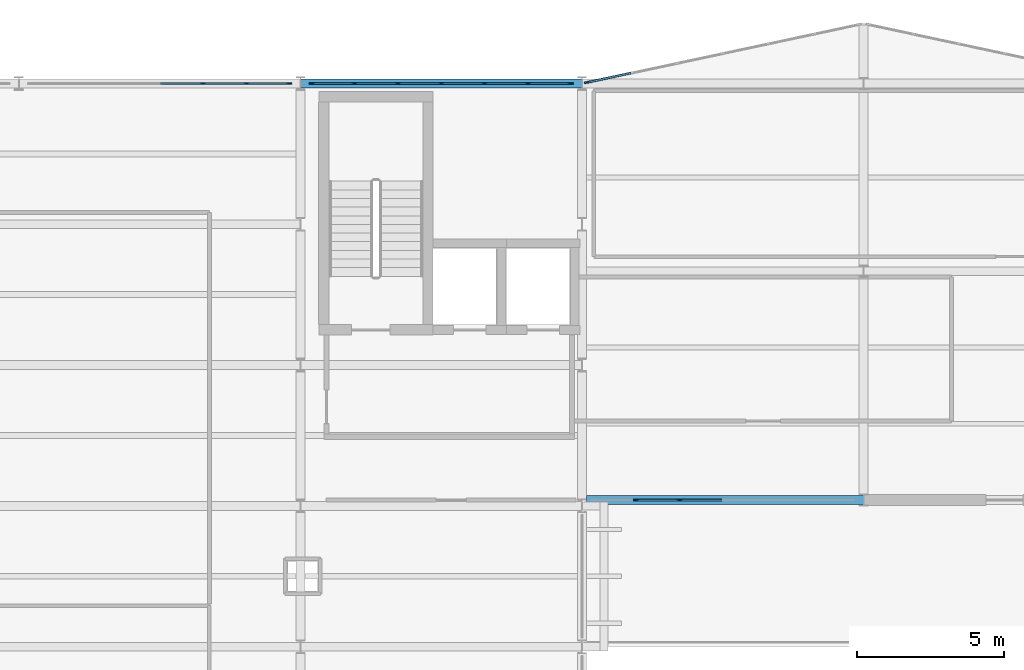
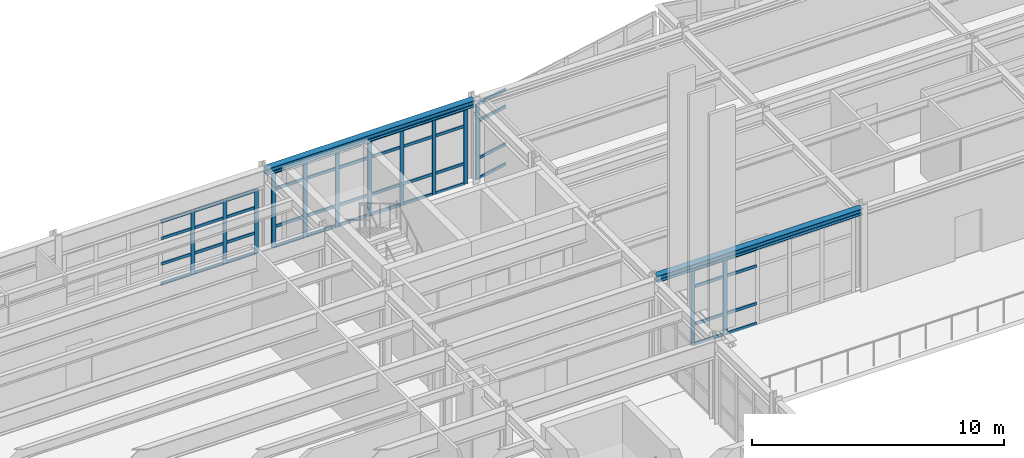
# One storey, part 21 of 47: 61 members, 2 beams, 4 elements without a shape of their own.
"""IFC4 building model written with IfcOpenShell, lengths in metres."""

from ifc_helpers import new_model, si_unit, direction, frame, origin, origin_2d, place, context, subcontext, project, spatial, rectangle, i_section, extrude, material, layer, layer_set, material_profile, profile_set, type_object, element, aggregate, save


model = new_model("IFC4")

# Units and contexts
model_context = context("Model", 3, precision=1e-05, world=origin(), true_north=direction((0.0, 1.0)))
body_context = subcontext(model_context, "Body", "Model", "MODEL_VIEW")
ifc_project = project(units=[si_unit("LENGTHUNIT", "METRE"), si_unit("AREAUNIT", "SQUARE_METRE"), si_unit("VOLUMEUNIT", "CUBIC_METRE"), si_unit("PLANEANGLEUNIT", "RADIAN"), si_unit("MASSUNIT", "GRAM", prefix="KILO")], contexts=[model_context])

# Site, building, storey
site_placement = place(None, origin())
site = spatial("IfcSite", under=ifc_project, at=site_placement, CompositionType="ELEMENT")
building_placement = place(site_placement, origin())
building = spatial("IfcBuilding", under=site, at=building_placement, Name="Nordkorset Police Headquarters", CompositionType="ELEMENT")
storey_placement = place(building_placement, frame((0.0, 0.0, 22.050048828125)))
storey = spatial("IfcBuildingStorey", under=building, at=storey_placement, Name="L05", CompositionType="ELEMENT", Elevation=22.050048828125)

# Curtain wall, members
ifc_material_1 = material(Name="Aluminium alloy AW-6060", Category="aluminium")
ifc_layer_1 = layer(ifc_material_1, 0.179931640625, Name="Aluminium alloy AW-6060")
ifc_layer_set_1 = layer_set([ifc_layer_1], Name="Aluminium alloy AW-6060")
curtain_wall_type_1 = type_object("IfcCurtainWallType", Name="CW_Unit_888x308", PredefinedType="USERDEFINED", material=ifc_layer_set_1)
curtain_wall_1_placement = place(storey_placement, origin())
curtain_wall_1 = element("IfcCurtainWall", 1, at=curtain_wall_1_placement, inside=storey, type_object=curtain_wall_type_1, Name="Unitised Curtain Wall L05 V1N-1", ObjectType="UNITISED CURTAIN WALL", PredefinedType="USERDEFINED")
ifc_material_2 = material(Name="Aluminium alloy AW-6060", Category="aluminium")
ifc_material_profile_1 = material_profile(ifc_material_2, rectangle(XDim=0.06494140625, YDim=0.179931640625, at=origin_2d()), Name="ALU MULL 65x180")
ifc_profile_set_1 = profile_set([ifc_material_profile_1], Name="Aluminium alloy AW-6060")
member_type_1 = type_object("IfcMemberType", Name="CW_Mullion_65x180", PredefinedType="MULLION", material=ifc_profile_set_1)
member_1_placement = place(storey_placement, frame((15.8798828125, 116.800048828125, 0.0), z_axis=(0.0, 0.0, 1.0), x_axis=(0.0, 1.0, 0.0)))
member_1 = element("IfcMember", 2, at=member_1_placement, type_object=member_type_1, Name="CW-81 mullion 5", PredefinedType="MULLION", context=body_context, shape_type="SweptSolid", body=[
    extrude(rectangle(XDim=0.06494140625, YDim=0.179931640625, at=origin_2d()), origin(), (0.0, 0.0, 1.0), 3.079833984375),
])
member_2_placement = place(storey_placement, frame((17.360107421875, 116.800048828125, 0.0), z_axis=(0.0, 0.0, 1.0), x_axis=(0.0, 1.0, 0.0)))
member_2 = element("IfcMember", 3, at=member_2_placement, type_object=member_type_1, Name="CW-81 mullion 6", PredefinedType="MULLION", context=body_context, shape_type="SweptSolid", body=[
    extrude(rectangle(XDim=0.06494140625, YDim=0.179931640625, at=origin_2d()), origin(), (0.0, 0.0, 1.0), 3.079833984375),
])
member_3_placement = place(storey_placement, frame((18.8076171875, 116.800048828125, 0.0), z_axis=(0.0, 0.0, 1.0), x_axis=(0.0, 1.0, 0.0)))
member_3 = element("IfcMember", 4, at=member_3_placement, type_object=member_type_1, Name="CW-81 mullion 7", PredefinedType="MULLION", context=body_context, shape_type="SweptSolid", body=[
    extrude(rectangle(XDim=0.06494140625, YDim=0.179931640625, at=origin_2d()), origin(), (0.0, 0.0, 1.0), 3.079833984375),
])

ifc_material_3 = material(Name="Aluminium alloy AW-6060", Category="aluminium")
ifc_layer_2 = layer(ifc_material_3, 0.179931640625, Name="Aluminium alloy AW-6060")
ifc_layer_set_2 = layer_set([ifc_layer_2], Name="Aluminium alloy AW-6060")
curtain_wall_type_2 = type_object("IfcCurtainWallType", Name="CW_Unit_888x367", PredefinedType="USERDEFINED", material=ifc_layer_set_2)
curtain_wall_2_placement = place(storey_placement, origin())
curtain_wall_2 = element("IfcCurtainWall", 5, at=curtain_wall_2_placement, inside=storey, type_object=curtain_wall_type_2, Name="Unitised Curtain Wall L05 V1N-2", ObjectType="UNITISED CURTAIN WALL", PredefinedType="USERDEFINED")
member_4_placement = place(storey_placement, frame((19.592529296875, 116.800048828125, 0.0), z_axis=(0.0, 0.0, 1.0), x_axis=(0.0, 1.0, 0.0)))
member_4 = element("IfcMember", 6, at=member_4_placement, type_object=member_type_1, Name="CW-91 mullion 1", PredefinedType="MULLION", context=body_context, shape_type="SweptSolid", body=[
    extrude(rectangle(XDim=0.06494140625, YDim=0.179931640625, at=origin_2d()), origin(), (0.0, 0.0, 1.0), 3.669921875),
])
member_5_placement = place(storey_placement, frame((21.0400390625, 116.800048828125, 0.0), z_axis=(0.0, 0.0, 1.0), x_axis=(0.0, 1.0, 0.0)))
member_5 = element("IfcMember", 7, at=member_5_placement, type_object=member_type_1, Name="CW-91 mullion 2", PredefinedType="MULLION", context=body_context, shape_type="SweptSolid", body=[
    extrude(rectangle(XDim=0.06494140625, YDim=0.179931640625, at=origin_2d()), origin(), (0.0, 0.0, 1.0), 3.669921875),
])
member_6_placement = place(storey_placement, frame((22.52001953125, 116.800048828125, 0.0), z_axis=(0.0, 0.0, 1.0), x_axis=(0.0, 1.0, 0.0)))
member_6 = element("IfcMember", 8, at=member_6_placement, type_object=member_type_1, Name="CW-91 mullion 3", PredefinedType="MULLION", context=body_context, shape_type="SweptSolid", body=[
    extrude(rectangle(XDim=0.06494140625, YDim=0.179931640625, at=origin_2d()), origin(), (0.0, 0.0, 1.0), 3.669921875),
])
member_7_placement = place(storey_placement, frame((24.0, 116.800048828125, 0.0), z_axis=(0.0, 0.0, 1.0), x_axis=(0.0, 1.0, 0.0)))
member_7 = element("IfcMember", 9, at=member_7_placement, type_object=member_type_1, Name="CW-91 mullion 4", PredefinedType="MULLION", context=body_context, shape_type="SweptSolid", body=[
    extrude(rectangle(XDim=0.06494140625, YDim=0.179931640625, at=origin_2d()), origin(), (0.0, 0.0, 1.0), 3.669921875),
])
member_8_placement = place(storey_placement, frame((25.47998046875, 116.800048828125, 0.0), z_axis=(0.0, 0.0, 1.0), x_axis=(0.0, 1.0, 0.0)))
member_8 = element("IfcMember", 10, at=member_8_placement, type_object=member_type_1, Name="CW-91 mullion 5", PredefinedType="MULLION", context=body_context, shape_type="SweptSolid", body=[
    extrude(rectangle(XDim=0.06494140625, YDim=0.179931640625, at=origin_2d()), origin(), (0.0, 0.0, 1.0), 3.669921875),
])
member_9_placement = place(storey_placement, frame((26.9599609375, 116.800048828125, 0.0), z_axis=(0.0, 0.0, 1.0), x_axis=(0.0, 1.0, 0.0)))
member_9 = element("IfcMember", 11, at=member_9_placement, type_object=member_type_1, Name="CW-91 mullion 6", PredefinedType="MULLION", context=body_context, shape_type="SweptSolid", body=[
    extrude(rectangle(XDim=0.06494140625, YDim=0.179931640625, at=origin_2d()), origin(), (0.0, 0.0, 1.0), 3.669921875),
])
member_10_placement = place(storey_placement, frame((28.407470703125, 116.800048828125, 0.0), z_axis=(0.0, 0.0, 1.0), x_axis=(0.0, 1.0, 0.0)))
member_10 = element("IfcMember", 12, at=member_10_placement, type_object=member_type_1, Name="CW-91 mullion 7", PredefinedType="MULLION", context=body_context, shape_type="SweptSolid", body=[
    extrude(rectangle(XDim=0.06494140625, YDim=0.179931640625, at=origin_2d()), origin(), (0.0, 0.0, 1.0), 3.669921875),
])

# Curtain wall, member
ifc_material_4 = material(Name="Aluminium alloy AW-6060", Category="aluminium")
ifc_layer_3 = layer(ifc_material_4, 0.179931640625, Name="Aluminium alloy AW-6060")
ifc_layer_set_3 = layer_set([ifc_layer_3], Name="Aluminium alloy AW-6060")
curtain_wall_type_3 = type_object("IfcCurtainWallType", Name="CW_Unit_954x367", PredefinedType="USERDEFINED", material=ifc_layer_set_3)
curtain_wall_3_placement = place(storey_placement, origin())
curtain_wall_3 = element("IfcCurtainWall", 13, at=curtain_wall_3_placement, inside=storey, type_object=curtain_wall_type_3, Name="Unitised Curtain Wall L05 V2N-0", ObjectType="UNITISED CURTAIN WALL", PredefinedType="USERDEFINED")
member_11_placement = place(storey_placement, frame((28.96875, 116.8359375, 0.0), z_axis=(0.0, 0.0, 1.0), x_axis=(-0.208832534289, 0.977951416289, 0.0)))
member_11 = element("IfcMember", 14, at=member_11_placement, type_object=member_type_1, Name="CW-71 mullion 1", PredefinedType="MULLION", context=body_context, shape_type="SweptSolid", body=[
    extrude(rectangle(XDim=0.06494140625, YDim=0.179931640625, at=origin_2d()), origin(), (0.0, 0.0, 1.0), 3.669921875),
])

# Curtain wall, members
curtain_wall_4_placement = place(storey_placement, origin())
curtain_wall_4 = element("IfcCurtainWall", 15, at=curtain_wall_4_placement, inside=storey, type_object=curtain_wall_type_2, Name="Unitised Curtain Wall L05 V2S-0", ObjectType="UNITISED CURTAIN WALL", PredefinedType="USERDEFINED")
member_12_placement = place(storey_placement, frame((30.639892578125, 102.60009765625, 0.0), z_axis=(0.0, 0.0, 1.0), x_axis=(0.0, 1.0, 0.0)))
member_12 = element("IfcMember", 16, at=member_12_placement, type_object=member_type_1, Name="CW-91 mullion 2", PredefinedType="MULLION", context=body_context, shape_type="SweptSolid", body=[
    extrude(rectangle(XDim=0.06494140625, YDim=0.179931640625, at=origin_2d()), origin(), (0.0, 0.0, 1.0), 3.669921875),
])
member_13_placement = place(storey_placement, frame((32.1201171875, 102.60009765625, 0.0), z_axis=(0.0, 0.0, 1.0), x_axis=(0.0, 1.0, 0.0)))
member_13 = element("IfcMember", 17, at=member_13_placement, type_object=member_type_1, Name="CW-91 mullion 3", PredefinedType="MULLION", context=body_context, shape_type="SweptSolid", body=[
    extrude(rectangle(XDim=0.06494140625, YDim=0.179931640625, at=origin_2d()), origin(), (0.0, 0.0, 1.0), 3.669921875),
])

# Member
ifc_material_5 = material(Name="Aluminium alloy AW-6060", Category="aluminium")
ifc_material_profile_2 = material_profile(ifc_material_5, rectangle(XDim=0.06494140625, YDim=0.139892578125, at=origin_2d()), Name="ALU TRAN 65x140")
ifc_profile_set_2 = profile_set([ifc_material_profile_2], Name="Aluminium alloy AW-6060")
member_type_2 = type_object("IfcMemberType", Name="CW_Transom_65x140", PredefinedType="USERDEFINED", material=ifc_profile_set_2)
member_14_placement = place(storey_placement, frame((14.4326171875, 116.800048828125, 0.032470703125), z_axis=(1.0, 0.0, 0.0), x_axis=(0.0, 1.0, 0.0)))
member_14 = element("IfcMember", 18, at=member_14_placement, type_object=member_type_2, Name="CW-81 transom 4.1", ObjectType="TRANSOM", PredefinedType="USERDEFINED", context=body_context, shape_type="SweptSolid", body=[
    extrude(rectangle(XDim=0.06494140625, YDim=0.139892578125, at=origin_2d()), origin(), (0.0, 0.0, 1.0), 1.414794921875),
])

member_15_placement = place(storey_placement, frame((14.4326171875, 116.800048828125, 1.0), z_axis=(1.0, 0.0, 0.0), x_axis=(0.0, 1.0, 0.0)))
member_15 = element("IfcMember", 19, at=member_15_placement, type_object=member_type_2, Name="CW-81 transom 4.2", ObjectType="TRANSOM", PredefinedType="USERDEFINED", context=body_context, shape_type="SweptSolid", body=[
    extrude(rectangle(XDim=0.06494140625, YDim=0.139892578125, at=origin_2d()), origin(), (0.0, 0.0, 1.0), 1.414794921875),
])

member_16_placement = place(storey_placement, frame((14.4326171875, 116.800048828125, 2.22998046875), z_axis=(1.0, 0.0, 0.0), x_axis=(0.0, 1.0, 0.0)))
member_16 = element("IfcMember", 20, at=member_16_placement, type_object=member_type_2, Name="CW-81 transom 4.3", ObjectType="TRANSOM", PredefinedType="USERDEFINED", context=body_context, shape_type="SweptSolid", body=[
    extrude(rectangle(XDim=0.06494140625, YDim=0.139892578125, at=origin_2d()), origin(), (0.0, 0.0, 1.0), 1.414794921875),
])

member_17_placement = place(storey_placement, frame((14.4326171875, 116.800048828125, 3.04736328125), z_axis=(1.0, 0.0, 0.0), x_axis=(0.0, 1.0, 0.0)))
member_17 = element("IfcMember", 21, at=member_17_placement, type_object=member_type_2, Name="CW-81 transom 4.4", ObjectType="TRANSOM", PredefinedType="USERDEFINED", context=body_context, shape_type="SweptSolid", body=[
    extrude(rectangle(XDim=0.06494140625, YDim=0.139892578125, at=origin_2d()), origin(), (0.0, 0.0, 1.0), 1.414794921875),
])

member_18_placement = place(storey_placement, frame((15.91259765625, 116.800048828125, 0.032470703125), z_axis=(1.0, 0.0, 0.0), x_axis=(0.0, 1.0, 0.0)))
member_18 = element("IfcMember", 22, at=member_18_placement, type_object=member_type_2, Name="CW-81 transom 5.1", ObjectType="TRANSOM", PredefinedType="USERDEFINED", context=body_context, shape_type="SweptSolid", body=[
    extrude(rectangle(XDim=0.06494140625, YDim=0.139892578125, at=origin_2d()), origin(), (0.0, 0.0, 1.0), 1.414794921875),
])

member_19_placement = place(storey_placement, frame((15.91259765625, 116.800048828125, 1.0), z_axis=(1.0, 0.0, 0.0), x_axis=(0.0, 1.0, 0.0)))
member_19 = element("IfcMember", 23, at=member_19_placement, type_object=member_type_2, Name="CW-81 transom 5.2", ObjectType="TRANSOM", PredefinedType="USERDEFINED", context=body_context, shape_type="SweptSolid", body=[
    extrude(rectangle(XDim=0.06494140625, YDim=0.139892578125, at=origin_2d()), origin(), (0.0, 0.0, 1.0), 1.414794921875),
])

member_20_placement = place(storey_placement, frame((15.91259765625, 116.800048828125, 2.22998046875), z_axis=(1.0, 0.0, 0.0), x_axis=(0.0, 1.0, 0.0)))
member_20 = element("IfcMember", 24, at=member_20_placement, type_object=member_type_2, Name="CW-81 transom 5.3", ObjectType="TRANSOM", PredefinedType="USERDEFINED", context=body_context, shape_type="SweptSolid", body=[
    extrude(rectangle(XDim=0.06494140625, YDim=0.139892578125, at=origin_2d()), origin(), (0.0, 0.0, 1.0), 1.414794921875),
])

member_21_placement = place(storey_placement, frame((15.91259765625, 116.800048828125, 3.04736328125), z_axis=(1.0, 0.0, 0.0), x_axis=(0.0, 1.0, 0.0)))
member_21 = element("IfcMember", 25, at=member_21_placement, type_object=member_type_2, Name="CW-81 transom 5.4", ObjectType="TRANSOM", PredefinedType="USERDEFINED", context=body_context, shape_type="SweptSolid", body=[
    extrude(rectangle(XDim=0.06494140625, YDim=0.139892578125, at=origin_2d()), origin(), (0.0, 0.0, 1.0), 1.414794921875),
])

member_22_placement = place(storey_placement, frame((17.392578125, 116.800048828125, 0.032470703125), z_axis=(1.0, 0.0, 0.0), x_axis=(0.0, 1.0, 0.0)))
member_22 = element("IfcMember", 26, at=member_22_placement, type_object=member_type_2, Name="CW-81 transom 6.1", ObjectType="TRANSOM", PredefinedType="USERDEFINED", context=body_context, shape_type="SweptSolid", body=[
    extrude(rectangle(XDim=0.06494140625, YDim=0.139892578125, at=origin_2d()), origin(), (0.0, 0.0, 1.0), 1.38232421875),
])

member_23_placement = place(storey_placement, frame((17.392578125, 116.800048828125, 1.0), z_axis=(1.0, 0.0, 0.0), x_axis=(0.0, 1.0, 0.0)))
member_23 = element("IfcMember", 27, at=member_23_placement, type_object=member_type_2, Name="CW-81 transom 6.2", ObjectType="TRANSOM", PredefinedType="USERDEFINED", context=body_context, shape_type="SweptSolid", body=[
    extrude(rectangle(XDim=0.06494140625, YDim=0.139892578125, at=origin_2d()), origin(), (0.0, 0.0, 1.0), 1.38232421875),
])

member_24_placement = place(storey_placement, frame((17.392578125, 116.800048828125, 2.22998046875), z_axis=(1.0, 0.0, 0.0), x_axis=(0.0, 1.0, 0.0)))
member_24 = element("IfcMember", 28, at=member_24_placement, type_object=member_type_2, Name="CW-81 transom 6.3", ObjectType="TRANSOM", PredefinedType="USERDEFINED", context=body_context, shape_type="SweptSolid", body=[
    extrude(rectangle(XDim=0.06494140625, YDim=0.139892578125, at=origin_2d()), origin(), (0.0, 0.0, 1.0), 1.38232421875),
])

member_25_placement = place(storey_placement, frame((17.392578125, 116.800048828125, 3.04736328125), z_axis=(1.0, 0.0, 0.0), x_axis=(0.0, 1.0, 0.0)))
member_25 = element("IfcMember", 29, at=member_25_placement, type_object=member_type_2, Name="CW-81 transom 6.4", ObjectType="TRANSOM", PredefinedType="USERDEFINED", context=body_context, shape_type="SweptSolid", body=[
    extrude(rectangle(XDim=0.06494140625, YDim=0.139892578125, at=origin_2d()), origin(), (0.0, 0.0, 1.0), 1.38232421875),
])

aggregate(curtain_wall_1, [member_1, member_2, member_3, member_14, member_15, member_16, member_17, member_18, member_19, member_20, member_21, member_22, member_23, member_24, member_25])

member_26_placement = place(storey_placement, frame((19.625, 116.800048828125, 0.032470703125), z_axis=(1.0, 0.0, 0.0), x_axis=(0.0, 1.0, 0.0)))
member_26 = element("IfcMember", 30, at=member_26_placement, type_object=member_type_2, Name="CW-91 transom 1.1", ObjectType="TRANSOM", PredefinedType="USERDEFINED", context=body_context, shape_type="SweptSolid", body=[
    extrude(rectangle(XDim=0.06494140625, YDim=0.139892578125, at=origin_2d()), origin(), (0.0, 0.0, 1.0), 1.382568359375),
])

member_27_placement = place(storey_placement, frame((19.625, 116.800048828125, 1.0), z_axis=(1.0, 0.0, 0.0), x_axis=(0.0, 1.0, 0.0)))
member_27 = element("IfcMember", 31, at=member_27_placement, type_object=member_type_2, Name="CW-91 transom 1.2", ObjectType="TRANSOM", PredefinedType="USERDEFINED", context=body_context, shape_type="SweptSolid", body=[
    extrude(rectangle(XDim=0.06494140625, YDim=0.139892578125, at=origin_2d()), origin(), (0.0, 0.0, 1.0), 1.382568359375),
])

member_28_placement = place(storey_placement, frame((19.625, 116.800048828125, 2.820068359375), z_axis=(1.0, 0.0, 0.0), x_axis=(0.0, 1.0, 0.0)))
member_28 = element("IfcMember", 32, at=member_28_placement, type_object=member_type_2, Name="CW-91 transom 1.3", ObjectType="TRANSOM", PredefinedType="USERDEFINED", context=body_context, shape_type="SweptSolid", body=[
    extrude(rectangle(XDim=0.06494140625, YDim=0.139892578125, at=origin_2d()), origin(), (0.0, 0.0, 1.0), 1.382568359375),
])

member_29_placement = place(storey_placement, frame((19.625, 116.800048828125, 3.637451171875), z_axis=(1.0, 0.0, 0.0), x_axis=(0.0, 1.0, 0.0)))
member_29 = element("IfcMember", 33, at=member_29_placement, type_object=member_type_2, Name="CW-91 transom 1.4", ObjectType="TRANSOM", PredefinedType="USERDEFINED", context=body_context, shape_type="SweptSolid", body=[
    extrude(rectangle(XDim=0.06494140625, YDim=0.139892578125, at=origin_2d()), origin(), (0.0, 0.0, 1.0), 1.382568359375),
])

member_30_placement = place(storey_placement, frame((21.072509765625, 116.800048828125, 0.032470703125), z_axis=(1.0, 0.0, 0.0), x_axis=(0.0, 1.0, 0.0)))
member_30 = element("IfcMember", 34, at=member_30_placement, type_object=member_type_2, Name="CW-91 transom 2.1", ObjectType="TRANSOM", PredefinedType="USERDEFINED", context=body_context, shape_type="SweptSolid", body=[
    extrude(rectangle(XDim=0.06494140625, YDim=0.139892578125, at=origin_2d()), origin(), (0.0, 0.0, 1.0), 1.4150390625),
])

member_31_placement = place(storey_placement, frame((21.072509765625, 116.800048828125, 1.0), z_axis=(1.0, 0.0, 0.0), x_axis=(0.0, 1.0, 0.0)))
member_31 = element("IfcMember", 35, at=member_31_placement, type_object=member_type_2, Name="CW-91 transom 2.2", ObjectType="TRANSOM", PredefinedType="USERDEFINED", context=body_context, shape_type="SweptSolid", body=[
    extrude(rectangle(XDim=0.06494140625, YDim=0.139892578125, at=origin_2d()), origin(), (0.0, 0.0, 1.0), 1.4150390625),
])

member_32_placement = place(storey_placement, frame((21.072509765625, 116.800048828125, 2.820068359375), z_axis=(1.0, 0.0, 0.0), x_axis=(0.0, 1.0, 0.0)))
member_32 = element("IfcMember", 36, at=member_32_placement, type_object=member_type_2, Name="CW-91 transom 2.3", ObjectType="TRANSOM", PredefinedType="USERDEFINED", context=body_context, shape_type="SweptSolid", body=[
    extrude(rectangle(XDim=0.06494140625, YDim=0.139892578125, at=origin_2d()), origin(), (0.0, 0.0, 1.0), 1.4150390625),
])

member_33_placement = place(storey_placement, frame((21.072509765625, 116.800048828125, 3.637451171875), z_axis=(1.0, 0.0, 0.0), x_axis=(0.0, 1.0, 0.0)))
member_33 = element("IfcMember", 37, at=member_33_placement, type_object=member_type_2, Name="CW-91 transom 2.4", ObjectType="TRANSOM", PredefinedType="USERDEFINED", context=body_context, shape_type="SweptSolid", body=[
    extrude(rectangle(XDim=0.06494140625, YDim=0.139892578125, at=origin_2d()), origin(), (0.0, 0.0, 1.0), 1.4150390625),
])

member_34_placement = place(storey_placement, frame((22.552490234375, 116.800048828125, 0.032470703125), z_axis=(1.0, 0.0, 0.0), x_axis=(0.0, 1.0, 0.0)))
member_34 = element("IfcMember", 38, at=member_34_placement, type_object=member_type_2, Name="CW-91 transom 3.1", ObjectType="TRANSOM", PredefinedType="USERDEFINED", context=body_context, shape_type="SweptSolid", body=[
    extrude(rectangle(XDim=0.06494140625, YDim=0.139892578125, at=origin_2d()), origin(), (0.0, 0.0, 1.0), 1.4150390625),
])

member_35_placement = place(storey_placement, frame((22.552490234375, 116.800048828125, 1.0), z_axis=(1.0, 0.0, 0.0), x_axis=(0.0, 1.0, 0.0)))
member_35 = element("IfcMember", 39, at=member_35_placement, type_object=member_type_2, Name="CW-91 transom 3.2", ObjectType="TRANSOM", PredefinedType="USERDEFINED", context=body_context, shape_type="SweptSolid", body=[
    extrude(rectangle(XDim=0.06494140625, YDim=0.139892578125, at=origin_2d()), origin(), (0.0, 0.0, 1.0), 1.4150390625),
])

member_36_placement = place(storey_placement, frame((22.552490234375, 116.800048828125, 2.820068359375), z_axis=(1.0, 0.0, 0.0), x_axis=(0.0, 1.0, 0.0)))
member_36 = element("IfcMember", 40, at=member_36_placement, type_object=member_type_2, Name="CW-91 transom 3.3", ObjectType="TRANSOM", PredefinedType="USERDEFINED", context=body_context, shape_type="SweptSolid", body=[
    extrude(rectangle(XDim=0.06494140625, YDim=0.139892578125, at=origin_2d()), origin(), (0.0, 0.0, 1.0), 1.4150390625),
])

member_37_placement = place(storey_placement, frame((22.552490234375, 116.800048828125, 3.637451171875), z_axis=(1.0, 0.0, 0.0), x_axis=(0.0, 1.0, 0.0)))
member_37 = element("IfcMember", 41, at=member_37_placement, type_object=member_type_2, Name="CW-91 transom 3.4", ObjectType="TRANSOM", PredefinedType="USERDEFINED", context=body_context, shape_type="SweptSolid", body=[
    extrude(rectangle(XDim=0.06494140625, YDim=0.139892578125, at=origin_2d()), origin(), (0.0, 0.0, 1.0), 1.4150390625),
])

member_38_placement = place(storey_placement, frame((24.032470703125, 116.800048828125, 0.032470703125), z_axis=(1.0, 0.0, 0.0), x_axis=(0.0, 1.0, 0.0)))
member_38 = element("IfcMember", 42, at=member_38_placement, type_object=member_type_2, Name="CW-91 transom 4.1", ObjectType="TRANSOM", PredefinedType="USERDEFINED", context=body_context, shape_type="SweptSolid", body=[
    extrude(rectangle(XDim=0.06494140625, YDim=0.139892578125, at=origin_2d()), origin(), (0.0, 0.0, 1.0), 1.4150390625),
])

member_39_placement = place(storey_placement, frame((24.032470703125, 116.800048828125, 1.0), z_axis=(1.0, 0.0, 0.0), x_axis=(0.0, 1.0, 0.0)))
member_39 = element("IfcMember", 43, at=member_39_placement, type_object=member_type_2, Name="CW-91 transom 4.2", ObjectType="TRANSOM", PredefinedType="USERDEFINED", context=body_context, shape_type="SweptSolid", body=[
    extrude(rectangle(XDim=0.06494140625, YDim=0.139892578125, at=origin_2d()), origin(), (0.0, 0.0, 1.0), 1.4150390625),
])

member_40_placement = place(storey_placement, frame((24.032470703125, 116.800048828125, 2.820068359375), z_axis=(1.0, 0.0, 0.0), x_axis=(0.0, 1.0, 0.0)))
member_40 = element("IfcMember", 44, at=member_40_placement, type_object=member_type_2, Name="CW-91 transom 4.3", ObjectType="TRANSOM", PredefinedType="USERDEFINED", context=body_context, shape_type="SweptSolid", body=[
    extrude(rectangle(XDim=0.06494140625, YDim=0.139892578125, at=origin_2d()), origin(), (0.0, 0.0, 1.0), 1.4150390625),
])

member_41_placement = place(storey_placement, frame((24.032470703125, 116.800048828125, 3.637451171875), z_axis=(1.0, 0.0, 0.0), x_axis=(0.0, 1.0, 0.0)))
member_41 = element("IfcMember", 45, at=member_41_placement, type_object=member_type_2, Name="CW-91 transom 4.4", ObjectType="TRANSOM", PredefinedType="USERDEFINED", context=body_context, shape_type="SweptSolid", body=[
    extrude(rectangle(XDim=0.06494140625, YDim=0.139892578125, at=origin_2d()), origin(), (0.0, 0.0, 1.0), 1.4150390625),
])

member_42_placement = place(storey_placement, frame((25.512451171875, 116.800048828125, 0.032470703125), z_axis=(1.0, 0.0, 0.0), x_axis=(0.0, 1.0, 0.0)))
member_42 = element("IfcMember", 46, at=member_42_placement, type_object=member_type_2, Name="CW-91 transom 5.1", ObjectType="TRANSOM", PredefinedType="USERDEFINED", context=body_context, shape_type="SweptSolid", body=[
    extrude(rectangle(XDim=0.06494140625, YDim=0.139892578125, at=origin_2d()), origin(), (0.0, 0.0, 1.0), 1.4150390625),
])

member_43_placement = place(storey_placement, frame((25.512451171875, 116.800048828125, 1.0), z_axis=(1.0, 0.0, 0.0), x_axis=(0.0, 1.0, 0.0)))
member_43 = element("IfcMember", 47, at=member_43_placement, type_object=member_type_2, Name="CW-91 transom 5.2", ObjectType="TRANSOM", PredefinedType="USERDEFINED", context=body_context, shape_type="SweptSolid", body=[
    extrude(rectangle(XDim=0.06494140625, YDim=0.139892578125, at=origin_2d()), origin(), (0.0, 0.0, 1.0), 1.4150390625),
])

member_44_placement = place(storey_placement, frame((25.512451171875, 116.800048828125, 2.820068359375), z_axis=(1.0, 0.0, 0.0), x_axis=(0.0, 1.0, 0.0)))
member_44 = element("IfcMember", 48, at=member_44_placement, type_object=member_type_2, Name="CW-91 transom 5.3", ObjectType="TRANSOM", PredefinedType="USERDEFINED", context=body_context, shape_type="SweptSolid", body=[
    extrude(rectangle(XDim=0.06494140625, YDim=0.139892578125, at=origin_2d()), origin(), (0.0, 0.0, 1.0), 1.4150390625),
])

member_45_placement = place(storey_placement, frame((25.512451171875, 116.800048828125, 3.637451171875), z_axis=(1.0, 0.0, 0.0), x_axis=(0.0, 1.0, 0.0)))
member_45 = element("IfcMember", 49, at=member_45_placement, type_object=member_type_2, Name="CW-91 transom 5.4", ObjectType="TRANSOM", PredefinedType="USERDEFINED", context=body_context, shape_type="SweptSolid", body=[
    extrude(rectangle(XDim=0.06494140625, YDim=0.139892578125, at=origin_2d()), origin(), (0.0, 0.0, 1.0), 1.4150390625),
])

member_46_placement = place(storey_placement, frame((26.992431640625, 116.800048828125, 0.032470703125), z_axis=(1.0, 0.0, 0.0), x_axis=(0.0, 1.0, 0.0)))
member_46 = element("IfcMember", 50, at=member_46_placement, type_object=member_type_2, Name="CW-91 transom 6.1", ObjectType="TRANSOM", PredefinedType="USERDEFINED", context=body_context, shape_type="SweptSolid", body=[
    extrude(rectangle(XDim=0.06494140625, YDim=0.139892578125, at=origin_2d()), origin(), (0.0, 0.0, 1.0), 1.382568359375),
])

member_47_placement = place(storey_placement, frame((26.992431640625, 116.800048828125, 1.0), z_axis=(1.0, 0.0, 0.0), x_axis=(0.0, 1.0, 0.0)))
member_47 = element("IfcMember", 51, at=member_47_placement, type_object=member_type_2, Name="CW-91 transom 6.2", ObjectType="TRANSOM", PredefinedType="USERDEFINED", context=body_context, shape_type="SweptSolid", body=[
    extrude(rectangle(XDim=0.06494140625, YDim=0.139892578125, at=origin_2d()), origin(), (0.0, 0.0, 1.0), 1.382568359375),
])

member_48_placement = place(storey_placement, frame((26.992431640625, 116.800048828125, 2.820068359375), z_axis=(1.0, 0.0, 0.0), x_axis=(0.0, 1.0, 0.0)))
member_48 = element("IfcMember", 52, at=member_48_placement, type_object=member_type_2, Name="CW-91 transom 6.3", ObjectType="TRANSOM", PredefinedType="USERDEFINED", context=body_context, shape_type="SweptSolid", body=[
    extrude(rectangle(XDim=0.06494140625, YDim=0.139892578125, at=origin_2d()), origin(), (0.0, 0.0, 1.0), 1.382568359375),
])

member_49_placement = place(storey_placement, frame((26.992431640625, 116.800048828125, 3.637451171875), z_axis=(1.0, 0.0, 0.0), x_axis=(0.0, 1.0, 0.0)))
member_49 = element("IfcMember", 53, at=member_49_placement, type_object=member_type_2, Name="CW-91 transom 6.4", ObjectType="TRANSOM", PredefinedType="USERDEFINED", context=body_context, shape_type="SweptSolid", body=[
    extrude(rectangle(XDim=0.06494140625, YDim=0.139892578125, at=origin_2d()), origin(), (0.0, 0.0, 1.0), 1.382568359375),
])

aggregate(curtain_wall_2, [member_4, member_5, member_6, member_7, member_8, member_9, member_10, member_26, member_27, member_28, member_29, member_30, member_31, member_32, member_33, member_34, member_35, member_36, member_37, member_38, member_39, member_40, member_41, member_42, member_43, member_44, member_45, member_46, member_47, member_48, member_49])

member_50_placement = place(storey_placement, frame((29.00048828125, 116.8427734375, 0.032470703125), z_axis=(0.977955422008, 0.208813774846, 0.0), x_axis=(-0.208813774846, 0.977955422008, 0.0)))
member_50 = element("IfcMember", 54, at=member_50_placement, type_object=member_type_2, Name="CW-71 transom 1.1", ObjectType="TRANSOM", PredefinedType="USERDEFINED", context=body_context, shape_type="SweptSolid", body=[
    extrude(rectangle(XDim=0.06494140625, YDim=0.139892578125, at=origin_2d()), origin(), (0.0, 0.0, 1.0), 1.491943359375),
])

member_51_placement = place(storey_placement, frame((29.00048828125, 116.8427734375, 1.0), z_axis=(0.977955422008, 0.208813774846, 0.0), x_axis=(-0.208813774846, 0.977955422008, 0.0)))
member_51 = element("IfcMember", 55, at=member_51_placement, type_object=member_type_2, Name="CW-71 transom 1.2", ObjectType="TRANSOM", PredefinedType="USERDEFINED", context=body_context, shape_type="SweptSolid", body=[
    extrude(rectangle(XDim=0.06494140625, YDim=0.139892578125, at=origin_2d()), origin(), (0.0, 0.0, 1.0), 1.491943359375),
])

member_52_placement = place(storey_placement, frame((29.00048828125, 116.8427734375, 2.820068359375), z_axis=(0.977955422008, 0.208813774846, 0.0), x_axis=(-0.208813774846, 0.977955422008, 0.0)))
member_52 = element("IfcMember", 56, at=member_52_placement, type_object=member_type_2, Name="CW-71 transom 1.3", ObjectType="TRANSOM", PredefinedType="USERDEFINED", context=body_context, shape_type="SweptSolid", body=[
    extrude(rectangle(XDim=0.06494140625, YDim=0.139892578125, at=origin_2d()), origin(), (0.0, 0.0, 1.0), 1.491943359375),
])

member_53_placement = place(storey_placement, frame((29.00048828125, 116.8427734375, 3.637451171875), z_axis=(0.977955422008, 0.208813774846, 0.0), x_axis=(-0.208813774846, 0.977955422008, 0.0)))
member_53 = element("IfcMember", 57, at=member_53_placement, type_object=member_type_2, Name="CW-71 transom 1.4", ObjectType="TRANSOM", PredefinedType="USERDEFINED", context=body_context, shape_type="SweptSolid", body=[
    extrude(rectangle(XDim=0.06494140625, YDim=0.139892578125, at=origin_2d()), origin(), (0.0, 0.0, 1.0), 1.491943359375),
])

aggregate(curtain_wall_3, [member_11, member_50, member_51, member_52, member_53])

member_54_placement = place(storey_placement, frame((30.672607421875, 102.60009765625, 0.032470703125), z_axis=(1.0, 0.0, 0.0), x_axis=(0.0, 1.0, 0.0)))
member_54 = element("IfcMember", 58, at=member_54_placement, type_object=member_type_2, Name="CW-91 transom 2.1", ObjectType="TRANSOM", PredefinedType="USERDEFINED", context=body_context, shape_type="SweptSolid", body=[
    extrude(rectangle(XDim=0.06494140625, YDim=0.139892578125, at=origin_2d()), origin(), (0.0, 0.0, 1.0), 1.414794921875),
])

member_55_placement = place(storey_placement, frame((30.672607421875, 102.60009765625, 1.0), z_axis=(1.0, 0.0, 0.0), x_axis=(0.0, 1.0, 0.0)))
member_55 = element("IfcMember", 59, at=member_55_placement, type_object=member_type_2, Name="CW-91 transom 2.2", ObjectType="TRANSOM", PredefinedType="USERDEFINED", context=body_context, shape_type="SweptSolid", body=[
    extrude(rectangle(XDim=0.06494140625, YDim=0.139892578125, at=origin_2d()), origin(), (0.0, 0.0, 1.0), 1.414794921875),
])

member_56_placement = place(storey_placement, frame((30.672607421875, 102.60009765625, 2.820068359375), z_axis=(1.0, 0.0, 0.0), x_axis=(0.0, 1.0, 0.0)))
member_56 = element("IfcMember", 60, at=member_56_placement, type_object=member_type_2, Name="CW-91 transom 2.3", ObjectType="TRANSOM", PredefinedType="USERDEFINED", context=body_context, shape_type="SweptSolid", body=[
    extrude(rectangle(XDim=0.06494140625, YDim=0.139892578125, at=origin_2d()), origin(), (0.0, 0.0, 1.0), 1.414794921875),
])

member_57_placement = place(storey_placement, frame((30.672607421875, 102.60009765625, 3.637451171875), z_axis=(1.0, 0.0, 0.0), x_axis=(0.0, 1.0, 0.0)))
member_57 = element("IfcMember", 61, at=member_57_placement, type_object=member_type_2, Name="CW-91 transom 2.4", ObjectType="TRANSOM", PredefinedType="USERDEFINED", context=body_context, shape_type="SweptSolid", body=[
    extrude(rectangle(XDim=0.06494140625, YDim=0.139892578125, at=origin_2d()), origin(), (0.0, 0.0, 1.0), 1.414794921875),
])

member_58_placement = place(storey_placement, frame((32.152587890625, 102.60009765625, 0.032470703125), z_axis=(1.0, 0.0, 0.0), x_axis=(0.0, 1.0, 0.0)))
member_58 = element("IfcMember", 62, at=member_58_placement, type_object=member_type_2, Name="CW-91 transom 3.1", ObjectType="TRANSOM", PredefinedType="USERDEFINED", context=body_context, shape_type="SweptSolid", body=[
    extrude(rectangle(XDim=0.06494140625, YDim=0.139892578125, at=origin_2d()), origin(), (0.0, 0.0, 1.0), 1.414794921875),
])

member_59_placement = place(storey_placement, frame((32.152587890625, 102.60009765625, 1.0), z_axis=(1.0, 0.0, 0.0), x_axis=(0.0, 1.0, 0.0)))
member_59 = element("IfcMember", 63, at=member_59_placement, type_object=member_type_2, Name="CW-91 transom 3.2", ObjectType="TRANSOM", PredefinedType="USERDEFINED", context=body_context, shape_type="SweptSolid", body=[
    extrude(rectangle(XDim=0.06494140625, YDim=0.139892578125, at=origin_2d()), origin(), (0.0, 0.0, 1.0), 1.414794921875),
])

member_60_placement = place(storey_placement, frame((32.152587890625, 102.60009765625, 2.820068359375), z_axis=(1.0, 0.0, 0.0), x_axis=(0.0, 1.0, 0.0)))
member_60 = element("IfcMember", 64, at=member_60_placement, type_object=member_type_2, Name="CW-91 transom 3.3", ObjectType="TRANSOM", PredefinedType="USERDEFINED", context=body_context, shape_type="SweptSolid", body=[
    extrude(rectangle(XDim=0.06494140625, YDim=0.139892578125, at=origin_2d()), origin(), (0.0, 0.0, 1.0), 1.414794921875),
])

member_61_placement = place(storey_placement, frame((32.152587890625, 102.60009765625, 3.637451171875), z_axis=(1.0, 0.0, 0.0), x_axis=(0.0, 1.0, 0.0)))
member_61 = element("IfcMember", 65, at=member_61_placement, type_object=member_type_2, Name="CW-91 transom 3.4", ObjectType="TRANSOM", PredefinedType="USERDEFINED", context=body_context, shape_type="SweptSolid", body=[
    extrude(rectangle(XDim=0.06494140625, YDim=0.139892578125, at=origin_2d()), origin(), (0.0, 0.0, 1.0), 1.414794921875),
])

aggregate(curtain_wall_4, [member_12, member_13, member_54, member_55, member_56, member_57, member_58, member_59, member_60, member_61])

# Beams
ifc_material_6 = material(Name="Steel S355J2", Category="steel")
ifc_material_profile_3 = material_profile(ifc_material_6, i_section(OverallWidth=0.300048828125, OverallDepth=0.31005859375, WebThickness=0.009033203125, FlangeThickness=0.015380859375, FilletRadius=0.027099609375, at=origin_2d()), Name="HEA 320")
ifc_profile_set_3 = profile_set([ifc_material_profile_3], Name="Steel S355J2")
beam_type = type_object("IfcBeamType", Name="Spandrel_HEA_320", PredefinedType="SPANDREL", material=ifc_profile_set_3)
beam_1_placement = place(storey_placement, frame((19.20703125, 116.800048828125, 3.844970703125), z_axis=(1.0, 0.0, 0.0), x_axis=(0.0, 1.0, 0.0)))
element("IfcBeam", 66, at=beam_1_placement, inside=storey, type_object=beam_type, Name="Girder V1 L05 GX-7-1", PredefinedType="SPANDREL", context=body_context, shape_type="SweptSolid", body=[
    extrude(i_section(OverallWidth=0.300048828125, OverallDepth=0.31005859375, WebThickness=0.009033203125, FlangeThickness=0.015380859375, FilletRadius=0.027099609375, at=origin_2d()), origin(), (0.0, 0.0, 1.0), 9.5859375),
])
beam_2_placement = place(storey_placement, frame((28.949951171875, 102.60009765625, 3.844970703125), z_axis=(1.0, 0.0, 0.0), x_axis=(0.0, 1.0, 0.0)))
element("IfcBeam", 67, at=beam_2_placement, inside=storey, type_object=beam_type, Name="Girder V2 L05 GX-0-0", PredefinedType="SPANDREL", context=body_context, shape_type="SweptSolid", body=[
    extrude(i_section(OverallWidth=0.300048828125, OverallDepth=0.31005859375, WebThickness=0.009033203125, FlangeThickness=0.015380859375, FilletRadius=0.027099609375, at=origin_2d()), origin(), (0.0, 0.0, 1.0), 9.443359375),
])

save(model, "model.ifc")
